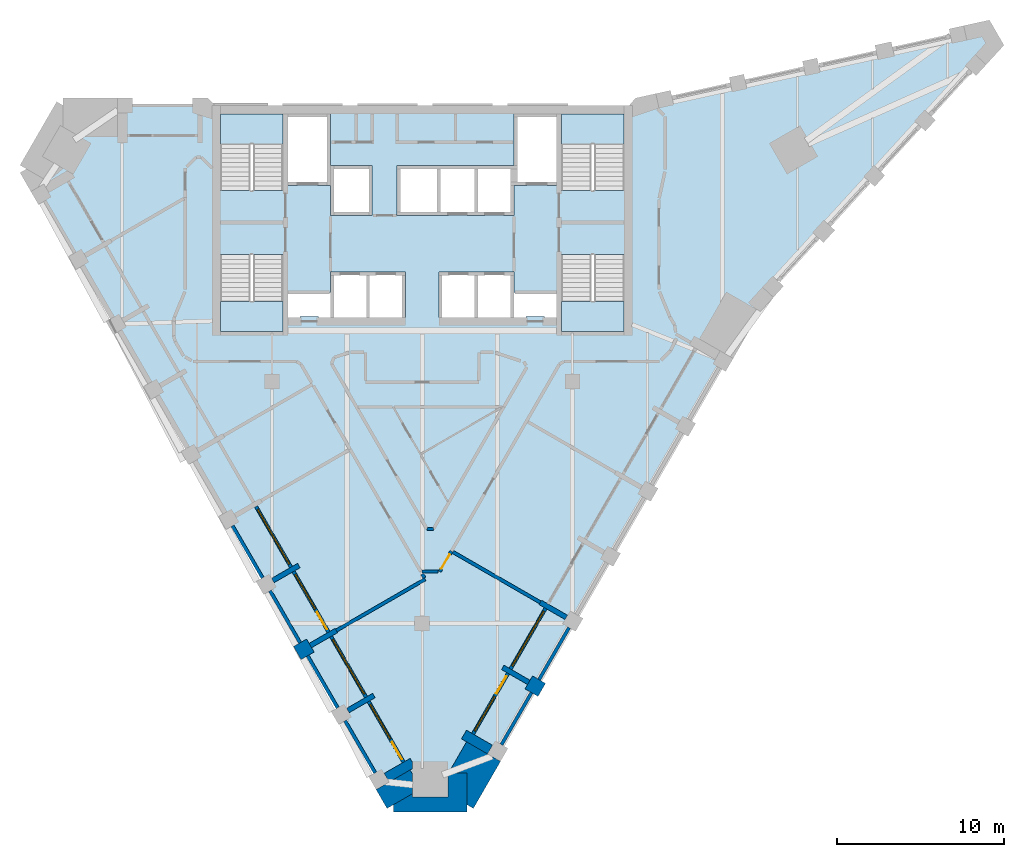
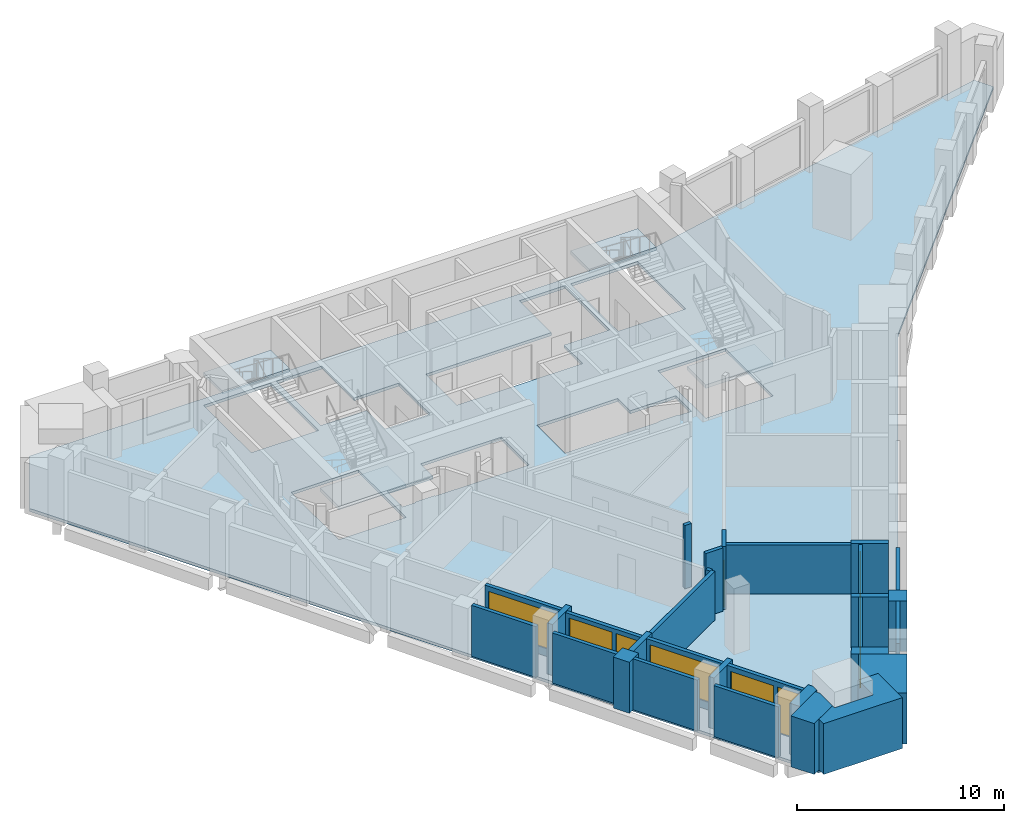
# One storey, part 2 of 8: 30 walls, 6 windows, 5 slabs, 4 doors, 10 openings, 4 elements without a shape of their own.
"""IFC4 building model written with IfcOpenShell, lengths in metres."""

from ifc_helpers import new_model, si_unit, direction, frame, frame_2d, origin, place, context, subcontext, project, spatial, polyline, rectangle, outline, extrude, material, layer, layer_set, type_object, element, fill, aggregate, save


model = new_model("IFC4")

# Units and contexts
model_context = context("Model", 3, precision=1e-05, world=origin(), true_north=direction((0.0, 1.0)))
body_context = subcontext(model_context, "Body", "Model", "MODEL_VIEW")
ifc_project = project(units=[si_unit("LENGTHUNIT", "METRE"), si_unit("AREAUNIT", "SQUARE_METRE"), si_unit("VOLUMEUNIT", "CUBIC_METRE"), si_unit("PLANEANGLEUNIT", "RADIAN"), si_unit("MASSUNIT", "GRAM", prefix="KILO")], contexts=[model_context])

# Site, building, storey
site_placement = place(None, origin())
site = spatial("IfcSite", under=ifc_project, at=site_placement, CompositionType="ELEMENT")
building_placement = place(site_placement, origin())
building = spatial("IfcBuilding", under=site, at=building_placement, Name="Calabash Gate Tower", CompositionType="ELEMENT")
storey_placement = place(building_placement, frame((0.0, 0.0, 271.60009765625)))
storey = spatial("IfcBuildingStorey", under=building, at=storey_placement, Name="L65", CompositionType="ELEMENT", Elevation=271.60009765625)

# Slab
ifc_material_1 = material(Name="Concrete C40/50", Category="concrete")
ifc_layer_1 = layer(ifc_material_1, 0.169921875)
ifc_layer_set_1 = layer_set([ifc_layer_1], Name="Composite floor slab 170 Concrete C40/50")
slab_type_1 = type_object("IfcSlabType", Name="Composite floor slab 170 Concrete C40/50", PredefinedType="FLOOR", material=ifc_layer_set_1)
slab_1_placement = place(storey_placement, frame((0.0, 0.0, -0.170166015625)))
element("IfcSlab", 1, at=slab_1_placement, inside=storey, type_object=slab_type_1, Name="Floor slab L65", PredefinedType="FLOOR", context=body_context, shape_type="SweptSolid", body=[
    extrude(outline(polyline([(-23.723388671875, 15.244140625), (-21.524658203125, 19.052490234375), (12.88134765625, 19.052490234375), (33.783935546875, 23.664794921875), (34.326904296875, 22.724365234375), (19.88134765625, 6.92822265625), (2.678466796875, -22.868408203125), (-1.718994140625, -22.868408203125), (-23.723388671875, 15.244140625)]), holes=[polyline([(-1.0, 9.052490234375), (-3.25, 9.052490234375), (-5.5, 9.052490234375), (-5.5, 7.8525390625), (-8.050048828125, 7.8525390625), (-8.050048828125, 6.3525390625), (-7.324951171875, 6.3525390625), (-7.324951171875, 6.402587890625), (-6.22509765625, 6.402587890625), (-6.22509765625, 6.3525390625), (-5.5, 6.3525390625), (-3.25, 6.3525390625), (-1.0, 6.3525390625), (-1.0, 9.052490234375)]), polyline([(3.25, 6.3525390625), (5.5, 6.3525390625), (6.22509765625, 6.3525390625), (6.22509765625, 6.402587890625), (7.324951171875, 6.402587890625), (7.324951171875, 6.3525390625), (8.050048828125, 6.3525390625), (8.050048828125, 7.8525390625), (5.5, 7.8525390625), (5.5, 9.052490234375), (3.25, 9.052490234375), (1.0, 9.052490234375), (1.0, 6.3525390625), (3.25, 6.3525390625)]), polyline([(-5.5, 14.252685546875), (-5.5, 12.45263671875), (-3.0, 12.45263671875), (-3.0, 15.45263671875), (-5.5, 15.45263671875), (-5.5, 18.552490234375), (-8.050048828125, 18.552490234375), (-8.050048828125, 14.252685546875), (-5.5, 14.252685546875)]), polyline([(1.0, 15.45263671875), (-1.5, 15.45263671875), (-1.5, 12.45263671875), (1.0, 12.45263671875), (3.25, 12.45263671875), (5.5, 12.45263671875), (5.5, 14.252685546875), (8.050048828125, 14.252685546875), (8.050048828125, 18.552490234375), (5.5, 18.552490234375), (5.5, 15.45263671875), (3.25, 15.45263671875), (1.0, 15.45263671875)]), polyline([(-8.35009765625, 18.552490234375), (-12.10009765625, 18.552490234375), (-12.10009765625, 13.95263671875), (-8.35009765625, 13.95263671875), (-8.35009765625, 18.552490234375)]), polyline([(-12.10009765625, 10.1025390625), (-12.10009765625, 5.502685546875), (-8.35009765625, 5.502685546875), (-8.35009765625, 10.1025390625), (-12.10009765625, 10.1025390625)]), polyline([(8.35009765625, 13.95263671875), (12.10009765625, 13.95263671875), (12.10009765625, 18.552490234375), (8.35009765625, 18.552490234375), (8.35009765625, 13.95263671875)]), polyline([(12.10009765625, 5.502685546875), (12.10009765625, 10.1025390625), (8.35009765625, 10.1025390625), (8.35009765625, 5.502685546875), (12.10009765625, 5.502685546875)])]), origin(), (0.0, 0.0, 1.0), 0.170166015625),
])

# Stair, slab
ifc_material_2 = material(Name="Concrete C40/50", Category="concrete")
stair_type = type_object("IfcStairType", Name="Exit stair 22 risers of 177.3 mm", PredefinedType="HALF_TURN_STAIR", material=ifc_material_2)
stair_1_placement = place(storey_placement, origin())
stair_1 = element("IfcStair", 2, at=stair_1_placement, inside=storey, type_object=stair_type, Name="L65 Exit stair ST1", PredefinedType="HALF_TURN_STAIR")
ifc_material_3 = material(Name="Concrete C40/50", Category="concrete")
ifc_layer_2 = layer(ifc_material_3, 0.199951171875)
ifc_layer_set_2 = layer_set([ifc_layer_2], Name="Stair landing SL200")
slab_type_2 = type_object("IfcSlabType", Name="Stair landing SL200", PredefinedType="LANDING", material=ifc_layer_set_2)
slab_2_placement = place(storey_placement, frame((0.0, 0.0, 1.75)))
slab_2 = element("IfcSlab", 3, at=slab_2_placement, type_object=slab_type_2, Name="ST1 landing 1", PredefinedType="LANDING", context=body_context, shape_type="SweptSolid", body=[
    extrude(outline(polyline([(-8.35009765625, 16.74267578125), (-8.35009765625, 18.552490234375), (-12.10009765625, 18.552490234375), (-12.10009765625, 16.74267578125), (-8.35009765625, 16.74267578125)])), origin(), (0.0, 0.0, 1.0), 0.199951171875),
])
aggregate(stair_1, [slab_2])

stair_2_placement = place(storey_placement, origin())
stair_2 = element("IfcStair", 4, at=stair_2_placement, inside=storey, type_object=stair_type, Name="L65 Exit stair ST2", PredefinedType="HALF_TURN_STAIR")
slab_3_placement = place(storey_placement, frame((0.0, 0.0, 1.75)))
slab_3 = element("IfcSlab", 5, at=slab_3_placement, type_object=slab_type_2, Name="ST2 landing 1", PredefinedType="LANDING", context=body_context, shape_type="SweptSolid", body=[
    extrude(outline(polyline([(-12.10009765625, 7.3125), (-12.10009765625, 5.502685546875), (-8.35009765625, 5.502685546875), (-8.35009765625, 7.3125), (-12.10009765625, 7.3125)])), origin(), (0.0, 0.0, 1.0), 0.199951171875),
])
aggregate(stair_2, [slab_3])

stair_3_placement = place(storey_placement, origin())
stair_3 = element("IfcStair", 6, at=stair_3_placement, inside=storey, type_object=stair_type, Name="L65 Exit stair ST3", PredefinedType="HALF_TURN_STAIR")
slab_4_placement = place(storey_placement, frame((0.0, 0.0, 1.75)))
slab_4 = element("IfcSlab", 7, at=slab_4_placement, type_object=slab_type_2, Name="ST3 landing 1", PredefinedType="LANDING", context=body_context, shape_type="SweptSolid", body=[
    extrude(outline(polyline([(12.10009765625, 16.74267578125), (12.10009765625, 18.552490234375), (8.35009765625, 18.552490234375), (8.35009765625, 16.74267578125), (12.10009765625, 16.74267578125)])), origin(), (0.0, 0.0, 1.0), 0.199951171875),
])
aggregate(stair_3, [slab_4])

stair_4_placement = place(storey_placement, origin())
stair_4 = element("IfcStair", 8, at=stair_4_placement, inside=storey, type_object=stair_type, Name="L65 Exit stair ST4", PredefinedType="HALF_TURN_STAIR")
slab_5_placement = place(storey_placement, frame((0.0, 0.0, 1.75)))
slab_5 = element("IfcSlab", 9, at=slab_5_placement, type_object=slab_type_2, Name="ST4 landing 1", PredefinedType="LANDING", context=body_context, shape_type="SweptSolid", body=[
    extrude(outline(polyline([(8.35009765625, 7.3125), (8.35009765625, 5.502685546875), (12.10009765625, 5.502685546875), (12.10009765625, 7.3125), (8.35009765625, 7.3125)])), origin(), (0.0, 0.0, 1.0), 0.199951171875),
])
aggregate(stair_4, [slab_5])

# Walls
ifc_material_4 = material(Name="Terracotta brick masonry, exposed face", Category="masonry")
ifc_layer_3 = layer(ifc_material_4, 2.35009765625)
ifc_layer_set_3 = layer_set([ifc_layer_3], Name="Brick corner mass wall 2350")
wall_type_1 = type_object("IfcWallType", Name="Brick corner mass wall 2350", PredefinedType="SOLIDWALL", material=ifc_layer_set_3)
wall_1_placement = place(storey_placement, origin())
element("IfcWall", 10, at=wall_1_placement, inside=storey, type_object=wall_type_1, Name="Brick corner pier S19 1a", PredefinedType="SOLIDWALL", context=body_context, shape_type="SweptSolid", body=[
    extrude(outline(polyline([(-0.594970703125, -21.015380859375), (-0.725830078125, -20.788818359375), (-2.760986328125, -21.9638671875), (-2.10888671875, -23.09326171875), (-0.594970703125, -22.21923828125), (-0.594970703125, -21.015380859375)])), origin(), (0.0, 0.0, 1.0), 3.0),
])
wall_2_placement = place(storey_placement, origin())
element("IfcWall", 11, at=wall_2_placement, inside=storey, type_object=wall_type_1, Name="Brick corner pier S19 1b", PredefinedType="SOLIDWALL", context=body_context, shape_type="SweptSolid", body=[
    extrude(outline(polyline([(-0.594970703125, -22.4208984375), (-0.594970703125, -22.21923828125), (-1.718994140625, -22.868408203125), (-1.718994140625, -23.318359375), (2.678466796875, -23.318359375), (2.678466796875, -20.96826171875), (1.554931640625, -20.96826171875), (1.554931640625, -22.4208984375), (-0.594970703125, -22.4208984375)])), origin(), (0.0, 0.0, 1.0), 3.0),
])
wall_3_placement = place(storey_placement, origin())
element("IfcWall", 12, at=wall_3_placement, inside=storey, type_object=wall_type_1, Name="Brick corner pier S19 1c", PredefinedType="SOLIDWALL", context=body_context, shape_type="SweptSolid", body=[
    extrude(outline(polyline([(2.678466796875, -20.96826171875), (2.678466796875, -22.868408203125), (3.068115234375, -23.09326171875), (4.694580078125, -20.276123046875), (2.659423828125, -19.10107421875), (1.58154296875, -20.96826171875), (2.678466796875, -20.96826171875)])), origin(), (0.0, 0.0, 1.0), 3.0),
])
ifc_material_5 = material(Name="Terracotta brick masonry, exposed face", Category="masonry")
ifc_layer_4 = layer(ifc_material_5, 0.89990234375)
ifc_layer_set_4 = layer_set([ifc_layer_4], Name="Brick end wall 900")
wall_type_2 = type_object("IfcWallType", Name="Brick end wall 900", PredefinedType="SOLIDWALL", material=ifc_layer_set_4)
wall_4_placement = place(storey_placement, frame((-7.48583984375, -13.77978515625, 0.0), z_axis=(0.0, 0.0, 1.0), x_axis=(0.866013897511, 0.50001992892, 0.0)))
element("IfcWall", 13, at=wall_4_placement, inside=storey, type_object=wall_type_2, Name="Brick pier S19 SW0.7", PredefinedType="SOLIDWALL", context=body_context, shape_type="SweptSolid", body=[
    extrude(rectangle(XDim=0.89990234375, YDim=0.89990234375, at=frame_2d((0.449951171875, 0.0))), origin(), (0.0, 0.0, 1.0), 3.0),
])
wall_5_placement = place(storey_placement, frame((7.0048828125, -15.37451171875, 0.0), z_axis=(0.0, 0.0, 1.0), x_axis=(-0.499902469156, -0.866081705922, 0.0)))
element("IfcWall", 14, at=wall_5_placement, inside=storey, type_object=wall_type_2, Name="Brick pier S19 SE2.1", PredefinedType="SOLIDWALL", context=body_context, shape_type="SweptSolid", body=[
    extrude(rectangle(XDim=0.900146484375, YDim=0.89990234375, at=frame_2d((0.4501953125, 0.0))), origin(), (0.0, 0.0, 1.0), 3.0),
])
ifc_material_6 = material(Name="Terracotta brick masonry, exposed face", Category="masonry")
ifc_layer_5 = layer(ifc_material_6, 0.300048828125)
ifc_layer_set_5 = layer_set([ifc_layer_5], Name="Brick loggia cheek wall 300")
wall_type_3 = type_object("IfcWallType", Name="Brick loggia cheek wall 300", PredefinedType="SOLIDWALL", material=ifc_layer_set_5)
for number, where, z_axis, x_axis, name in (
    (15, (-8.95654296875, -9.4326171875, 0.0), (0.0, 0.0, 1.0), (0.866047807691, 0.499961193289, 0.0), "Loggia cheek S19 SW0.6"),
    (16, (-6.70654296875, -13.329833984375, 0.0), (0.0, 0.0, 1.0), (0.866047807691, 0.499961193289, 0.0), "Loggia cheek S19 SW0.7"),
):
    element("IfcWall", number, at=place(storey_placement, frame(where, z_axis=z_axis, x_axis=x_axis)), inside=storey, type_object=wall_type_3, Name=name, PredefinedType="SOLIDWALL", context=body_context, shape_type="SweptSolid", body=[
        extrude(rectangle(XDim=1.800048828125, YDim=0.300048828125, at=frame_2d((0.89990234375, 0.0))), origin(), (0.0, 0.0, 1.0), 3.0),
    ])
wall_6_placement = place(storey_placement, frame((-4.456298828125, -17.226806640625, 0.0), z_axis=(0.0, 0.0, 1.0), x_axis=(0.866013897511, 0.50001992892, 0.0)))
element("IfcWall", 17, at=wall_6_placement, inside=storey, type_object=wall_type_3, Name="Loggia cheek S19 SW0.8", PredefinedType="SOLIDWALL", context=body_context, shape_type="SweptSolid", body=[
    extrude(rectangle(XDim=1.7998046875, YDim=0.300048828125, at=frame_2d((0.89990234375, 0.0))), origin(), (0.0, 0.0, 1.0), 3.0),
])
wall_7_placement = place(storey_placement, origin())
element("IfcWall", 18, at=wall_7_placement, inside=storey, type_object=wall_type_3, Name="Loggia cheek S19 SW0.9", PredefinedType="SOLIDWALL", context=body_context, shape_type="SweptSolid", body=[
    extrude(outline(polyline([(-1.981201171875, -21.513671875), (-0.594970703125, -20.71337890625), (-0.594970703125, -20.3154296875), (-0.72265625, -20.09423828125), (-2.28125, -20.994140625), (-1.981201171875, -21.513671875)])), origin(), (0.0, 0.0, 1.0), 3.0),
])
wall_8_placement = place(storey_placement, frame((4.065185546875, -19.56640625, 0.0), z_axis=(0.0, 0.0, 1.0), x_axis=(-0.865989075817, 0.500062916607, 0.0)))
element("IfcWall", 19, at=wall_8_placement, inside=storey, type_object=wall_type_3, Name="Loggia cheek S19 SE2.0", PredefinedType="SOLIDWALL", context=body_context, shape_type="SweptSolid", body=[
    extrude(rectangle(XDim=1.800048828125, YDim=0.60009765625, at=frame_2d((0.89990234375, 0.0))), origin(), (0.0, 0.0, 1.0), 3.0),
])
for number, where, z_axis, x_axis, name in (
    (20, (6.39013671875, -15.539306640625, 0.0), (0.0, 0.0, 1.0), (-0.866047807691, 0.499961193289, 0.0), "Loggia cheek S19 SE2.1"),
    (21, (8.64013671875, -11.64208984375, 0.0), (0.0, 0.0, 1.0), (-0.866047807691, 0.499961193289, 0.0), "Loggia cheek S19 SE2.2"),
):
    element("IfcWall", number, at=place(storey_placement, frame(where, z_axis=z_axis, x_axis=x_axis)), inside=storey, type_object=wall_type_3, Name=name, PredefinedType="SOLIDWALL", context=body_context, shape_type="SweptSolid", body=[
        extrude(rectangle(XDim=1.800048828125, YDim=0.300048828125, at=frame_2d((0.89990234375, 0.0))), origin(), (0.0, 0.0, 1.0), 3.0),
    ])
ifc_material_7 = material(Name="Gypsum board on steel studs, mineral wool", Category="steel")
ifc_layer_6 = layer(ifc_material_7, 0.199951171875)
ifc_layer_set_6 = layer_set([ifc_layer_6], Name="Partition 200 gypsum board EI 60")
wall_type_4 = type_object("IfcWallType", Name="Partition 200 gypsum board EI 60", PredefinedType="PARTITIONING", material=ifc_layer_set_6)
wall_9_placement = place(storey_placement, frame((-5.1474609375, -12.430419921875, 0.0), z_axis=(0.0, 0.0, 1.0), x_axis=(0.866013692856, 0.500020283374, 0.0)))
element("IfcWall", 22, at=wall_9_placement, inside=storey, type_object=wall_type_4, Name="Partition", PredefinedType="PARTITIONING", context=body_context, shape_type="SweptSolid", body=[
    extrude(rectangle(XDim=6.149658203125, YDim=0.199951171875, at=frame_2d((3.07470703125, 0.0))), origin(), (0.0, 0.0, 1.0), 2.884033203125),
])
wall_10_placement = place(storey_placement, frame((0.0, -9.0419921875, 0.0), z_axis=(0.0, 0.0, 1.0), x_axis=(0.494524249255, -0.869163832024, 0.0)))
element("IfcWall", 23, at=wall_10_placement, inside=storey, type_object=wall_type_4, Name="Partition", PredefinedType="PARTITIONING", context=body_context, shape_type="SweptSolid", body=[
    extrude(rectangle(XDim=0.2607421875, YDim=0.199951171875, at=frame_2d((0.13037109375, 0.0))), origin(), (0.0, 0.0, 1.0), 2.884033203125),
])
wall_11_placement = place(storey_placement, frame((0.0, -8.888671875, 0.0), z_axis=(0.0, 0.0, 1.0), x_axis=(0.999998814747, 0.001539644057, 0.0)))
element("IfcWall", 24, at=wall_11_placement, inside=storey, type_object=wall_type_4, Name="Partition", PredefinedType="PARTITIONING", context=body_context, shape_type="SweptSolid", body=[
    extrude(rectangle(XDim=0.951416015625, YDim=0.199951171875, at=frame_2d((0.4755859375, 0.0))), origin(), (0.0, 0.0, 1.0), 3.72998046875),
])

# Wall, opening, door
wall_12_placement = place(storey_placement, frame((1.051513671875, -8.88720703125, 0.0), z_axis=(0.0, 0.0, 1.0), x_axis=(0.500967914192, 0.865465856606, 0.0)))
wall_12 = element("IfcWall", 25, at=wall_12_placement, inside=storey, type_object=wall_type_4, Name="Partition", PredefinedType="PARTITIONING", context=body_context, shape_type="SweptSolid", body=[
    extrude(rectangle(XDim=1.407958984375, YDim=0.199951171875, at=frame_2d((0.7041015625, 0.0))), origin(), (0.0, 0.0, 1.0), 3.72998046875),
])
opening_1_placement = place(wall_12_placement, frame((0.18798828125, 0.0, 0.0)))
opening_1 = element("IfcOpeningElement", 26, at=opening_1_placement, cuts=wall_12, Name="Opening 65-66-010", PredefinedType="OPENING", context=body_context, shape_type="SweptSolid", body=[
    extrude(rectangle(XDim=1.0, YDim=2.10009765625, at=frame_2d((0.5, 1.050048828125))), frame((0.0, 0.10986328125, 0.0), z_axis=(0.0, -1.0, 0.0), x_axis=(1.0, 0.0, 0.0)), (0.0, 0.0, 1.0), 0.219970703125),
])
ifc_material_8 = material(Name="Steel fire door set with fire-resisting glazing", Category="steel")
door_type_1 = type_object("IfcDoorType", Name="LD2 Meeting room door 1000x2100", OperationType="NOTDEFINED", PredefinedType="DOOR", material=ifc_material_8)
door_1_placement = place(opening_1_placement, origin())
door_1 = element("IfcDoor", 27, at=door_1_placement, inside=storey, type_object=door_type_1, Name="Meeting room door", OperationType="SINGLE_SWING_LEFT", OverallHeight=2.10009765625, OverallWidth=1.0, PredefinedType="DOOR", context=body_context, shape_type="SweptSolid", body=[
    extrude(rectangle(XDim=1.0, YDim=2.10009765625, at=frame_2d((0.5, 1.050048828125))), frame((0.0, 0.02490234375, 0.0), z_axis=(0.0, -1.0, 0.0), x_axis=(1.0, 0.0, 0.0)), (0.0, 0.0, 1.0), 0.050048828125),
])
fill(opening_1, door_1)

# Walls
wall_13_placement = place(storey_placement, frame((1.84130859375, -7.718994140625, 0.0), z_axis=(0.0, 0.0, 1.0), x_axis=(0.866131832054, -0.499815615506, 0.0)))
element("IfcWall", 28, at=wall_13_placement, inside=storey, type_object=wall_type_4, Name="Partition", PredefinedType="PARTITIONING", context=body_context, shape_type="SweptSolid", body=[
    extrude(rectangle(XDim=6.049560546875, YDim=0.199951171875, at=frame_2d((3.02490234375, 0.0))), origin(), (0.0, 0.0, 1.0), 2.884033203125),
])
wall_14_placement = place(storey_placement, frame((0.295166015625, -6.343017578125, 0.0), z_axis=(0.0, 0.0, 1.0), x_axis=(0.999958464773, -0.009114204757, 0.0)))
element("IfcWall", 29, at=wall_14_placement, inside=storey, type_object=wall_type_4, Name="Partition", PredefinedType="PARTITIONING", context=body_context, shape_type="SweptSolid", body=[
    extrude(rectangle(XDim=0.375, YDim=0.199951171875, at=frame_2d((0.1875, 0.0))), origin(), (0.0, 0.0, 1.0), 3.72998046875),
])
ifc_material_9 = material(Name="Terracotta brick masonry, perforated", Category="masonry")
ifc_layer_7 = layer(ifc_material_9, 0.199951171875)
ifc_layer_set_7 = layer_set([ifc_layer_7], Name="Terracotta jaali screen A")
wall_type_5 = type_object("IfcWallType", Name="Terracotta jaali screen A", PredefinedType="SOLIDWALL", material=ifc_layer_set_7)
wall_15_placement = place(storey_placement, frame((-11.371337890625, -6.150390625, 0.0), z_axis=(0.0, 0.0, 1.0), x_axis=(0.500012057535, -0.866018442252, 0.0)))
element("IfcWall", 30, at=wall_15_placement, inside=storey, type_object=wall_type_5, Name="SCREEN A S19 SW0.6", PredefinedType="SOLIDWALL", context=body_context, shape_type="SweptSolid", body=[
    extrude(rectangle(XDim=3.60009765625, YDim=0.199951171875, at=frame_2d((1.800048828125, 0.0))), origin(), (0.0, 0.0, 1.0), 3.0),
])
wall_16_placement = place(storey_placement, frame((-9.121337890625, -10.04736328125, 0.0), z_axis=(0.0, 0.0, 1.0), x_axis=(0.500012057535, -0.866018442252, 0.0)))
element("IfcWall", 31, at=wall_16_placement, inside=storey, type_object=wall_type_5, Name="SCREEN A S19 SW0.7", PredefinedType="SOLIDWALL", context=body_context, shape_type="SweptSolid", body=[
    extrude(rectangle(XDim=3.60009765625, YDim=0.199951171875, at=frame_2d((1.800048828125, 0.0))), origin(), (0.0, 0.0, 1.0), 2.949951171875),
])
for number, where, z_axis, x_axis, name in (
    (32, (-6.871337890625, -13.944580078125, 0.0), (0.0, 0.0, 1.0), (0.500012057535, -0.866018442252, 0.0), "SCREEN A S19 SW0.8"),
    (33, (-4.621337890625, -17.841796875, 0.0), (0.0, 0.0, 1.0), (0.500012057535, -0.866018442252, 0.0), "SCREEN A S19 SW0.9"),
    (34, (4.7548828125, -19.271728515625, 0.0), (0.0, 0.0, 1.0), (0.500012057535, 0.866018442252, 0.0), "SCREEN A S19 SE2.1"),
    (35, (7.0048828125, -15.37451171875, 0.0), (0.0, 0.0, 1.0), (0.500012057535, 0.866018442252, 0.0), "SCREEN A S19 SE2.2"),
):
    element("IfcWall", number, at=place(storey_placement, frame(where, z_axis=z_axis, x_axis=x_axis)), inside=storey, type_object=wall_type_5, Name=name, PredefinedType="SOLIDWALL", context=body_context, shape_type="SweptSolid", body=[
        extrude(rectangle(XDim=3.60009765625, YDim=0.199951171875, at=frame_2d((1.800048828125, 0.0))), origin(), (0.0, 0.0, 1.0), 3.0),
    ])

# Wall, opening, window
ifc_material_10 = material(Name="Aluminium framed window wall with insulated spandrel", Category="aluminium")
ifc_layer_8 = layer(ifc_material_10, 0.199951171875)
ifc_layer_set_8 = layer_set([ifc_layer_8], Name="Window wall 200")
wall_type_6 = type_object("IfcWallType", Name="Window wall 200", PredefinedType="ELEMENTEDWALL", material=ifc_layer_set_8)
wall_17_placement = place(storey_placement, frame((-9.96240234375, -4.990478515625, 0.0), z_axis=(0.0, 0.0, 1.0), x_axis=(0.500002543286, -0.866023935413, 0.0)))
wall_17 = element("IfcWall", 36, at=wall_17_placement, inside=storey, type_object=wall_type_6, Name="Window wall S19 SW0.6", PredefinedType="ELEMENTEDWALL", context=body_context, shape_type="SweptSolid", body=[
    extrude(rectangle(XDim=4.2001953125, YDim=0.199951171875, at=frame_2d((2.10009765625, 0.0))), origin(), (0.0, 0.0, 1.0), 3.0),
])
opening_2_placement = place(wall_17_placement, frame((0.199951171875, 0.0, 0.449951171875)))
opening_2 = element("IfcOpeningElement", 37, at=opening_2_placement, cuts=wall_17, Name="Opening OW2", PredefinedType="OPENING", context=body_context, shape_type="SweptSolid", body=[
    extrude(rectangle(XDim=3.800048828125, YDim=2.25, at=frame_2d((1.89990234375, 1.125))), frame((0.0, 0.10986328125, 0.0), z_axis=(0.0, -1.0, 0.0), x_axis=(1.0, 0.0, 0.0)), (0.0, 0.0, 1.0), 0.219970703125),
])
ifc_material_11 = material(Name="Anodised aluminium frame, bronze finish, impact-rated laminated clear glazing", Category="aluminium")
window_type_1 = type_object("IfcWindowType", Name="Window OW2 3800x2250", PartitioningType="TRIPLE_PANEL_VERTICAL", PredefinedType="WINDOW", material=ifc_material_11)
window_1_placement = place(opening_2_placement, origin())
window_1 = element("IfcWindow", 38, at=window_1_placement, inside=storey, type_object=window_type_1, Name="Window OW2 S19 SW0.6", OverallHeight=2.25, OverallWidth=3.800048828125, PartitioningType="SINGLE_PANEL", PredefinedType="WINDOW", context=body_context, shape_type="SweptSolid", body=[
    extrude(rectangle(XDim=3.800048828125, YDim=2.25, at=frame_2d((1.89990234375, 1.125))), frame((0.0, 0.030029296875, 0.0), z_axis=(0.0, -1.0, 0.0), x_axis=(1.0, 0.0, 0.0)), (0.0, 0.0, 1.0), 0.06005859375),
])
fill(opening_2, window_1)

# Wall, openings, door, window
wall_18_placement = place(storey_placement, frame((-7.71240234375, -8.8876953125, 0.0), z_axis=(0.0, 0.0, 1.0), x_axis=(0.500027713859, -0.866009402589, 0.0)))
wall_18 = element("IfcWall", 39, at=wall_18_placement, inside=storey, type_object=wall_type_6, Name="Window wall S19 SW0.7", PredefinedType="ELEMENTEDWALL", context=body_context, shape_type="SweptSolid", body=[
    extrude(rectangle(XDim=4.199951171875, YDim=0.199951171875, at=frame_2d((2.10009765625, 0.0))), origin(), (0.0, 0.0, 1.0), 2.949951171875),
])
opening_3_placement = place(wall_18_placement, frame((0.199951171875, 0.0, 0.449951171875)))
opening_3 = element("IfcOpeningElement", 40, at=opening_3_placement, cuts=wall_18, Name="Opening OW1", PredefinedType="OPENING", context=body_context, shape_type="SweptSolid", body=[
    extrude(rectangle(XDim=2.39990234375, YDim=2.25, at=frame_2d((1.199951171875, 1.125))), frame((0.0, 0.10986328125, 0.0), z_axis=(0.0, -1.0, 0.0), x_axis=(1.0, 0.0, 0.0)), (0.0, 0.0, 1.0), 0.219970703125),
])
opening_4_placement = place(wall_18_placement, frame((2.800048828125, 0.0, 0.0)))
opening_4 = element("IfcOpeningElement", 41, at=opening_4_placement, cuts=wall_18, Name="Opening O11-019", PredefinedType="OPENING", context=body_context, shape_type="SweptSolid", body=[
    extrude(rectangle(XDim=1.199951171875, YDim=2.699951171875, at=frame_2d((0.60009765625, 1.35009765625))), frame((0.0, 0.10986328125, 0.0), z_axis=(0.0, -1.0, 0.0), x_axis=(1.0, 0.0, 0.0)), (0.0, 0.0, 1.0), 0.219970703125),
])
ifc_material_12 = material(Name="Anodised aluminium frame, bronze finish, impact-rated laminated clear glazing", Category="aluminium")
door_type_2 = type_object("IfcDoorType", Name="Loggia door DO1 1200x2700", OperationType="SLIDING_TO_LEFT", PredefinedType="DOOR", material=ifc_material_12)
door_2_placement = place(opening_4_placement, origin())
door_2 = element("IfcDoor", 42, at=door_2_placement, inside=storey, type_object=door_type_2, Name="Loggia door S19 SW0.7", OperationType="SINGLE_SWING_LEFT", OverallHeight=2.699951171875, OverallWidth=1.199951171875, PredefinedType="DOOR", context=body_context, shape_type="SweptSolid", body=[
    extrude(rectangle(XDim=1.199951171875, YDim=2.699951171875, at=frame_2d((0.60009765625, 1.35009765625))), frame((0.0, 0.02490234375, 0.0), z_axis=(0.0, -1.0, 0.0), x_axis=(1.0, 0.0, 0.0)), (0.0, 0.0, 1.0), 0.050048828125),
])
fill(opening_4, door_2)
ifc_material_13 = material(Name="Anodised aluminium frame, bronze finish, impact-rated laminated clear glazing", Category="aluminium")
window_type_2 = type_object("IfcWindowType", Name="Window OW1 2400x2250", PartitioningType="DOUBLE_PANEL_VERTICAL", PredefinedType="WINDOW", material=ifc_material_13)
window_2_placement = place(opening_3_placement, origin())
window_2 = element("IfcWindow", 43, at=window_2_placement, inside=storey, type_object=window_type_2, Name="Window OW1 S19 SW0.7", OverallHeight=2.25, OverallWidth=2.39990234375, PartitioningType="SINGLE_PANEL", PredefinedType="WINDOW", context=body_context, shape_type="SweptSolid", body=[
    extrude(rectangle(XDim=2.39990234375, YDim=2.25, at=frame_2d((1.199951171875, 1.125))), frame((0.0, 0.030029296875, 0.0), z_axis=(0.0, -1.0, 0.0), x_axis=(1.0, 0.0, 0.0)), (0.0, 0.0, 1.0), 0.06005859375),
])
fill(opening_3, window_2)

# Wall, opening, window
wall_19_placement = place(storey_placement, frame((-5.46240234375, -12.78466796875, 0.0), z_axis=(0.0, 0.0, 1.0), x_axis=(0.500002543286, -0.866023935413, 0.0)))
wall_19 = element("IfcWall", 44, at=wall_19_placement, inside=storey, type_object=wall_type_6, Name="Window wall S19 SW0.8", PredefinedType="ELEMENTEDWALL", context=body_context, shape_type="SweptSolid", body=[
    extrude(rectangle(XDim=4.2001953125, YDim=0.199951171875, at=frame_2d((2.10009765625, 0.0))), origin(), (0.0, 0.0, 1.0), 3.0),
])
opening_5_placement = place(wall_19_placement, frame((0.199951171875, 0.0, 0.449951171875)))
opening_5 = element("IfcOpeningElement", 45, at=opening_5_placement, cuts=wall_19, Name="Opening OW2", PredefinedType="OPENING", context=body_context, shape_type="SweptSolid", body=[
    extrude(rectangle(XDim=3.800048828125, YDim=2.25, at=frame_2d((1.89990234375, 1.125))), frame((0.0, 0.10986328125, 0.0), z_axis=(0.0, -1.0, 0.0), x_axis=(1.0, 0.0, 0.0)), (0.0, 0.0, 1.0), 0.219970703125),
])
window_3_placement = place(opening_5_placement, origin())
window_3 = element("IfcWindow", 46, at=window_3_placement, inside=storey, type_object=window_type_1, Name="Window OW2 S19 SW0.8", OverallHeight=2.25, OverallWidth=3.800048828125, PartitioningType="SINGLE_PANEL", PredefinedType="WINDOW", context=body_context, shape_type="SweptSolid", body=[
    extrude(rectangle(XDim=3.800048828125, YDim=2.25, at=frame_2d((1.89990234375, 1.125))), frame((0.0, 0.030029296875, 0.0), z_axis=(0.0, -1.0, 0.0), x_axis=(1.0, 0.0, 0.0)), (0.0, 0.0, 1.0), 0.06005859375),
])
fill(opening_5, window_3)

# Wall, openings, door, window
wall_20_placement = place(storey_placement, frame((-3.21240234375, -16.681884765625, 0.0), z_axis=(0.0, 0.0, 1.0), x_axis=(0.500027713859, -0.866009402589, 0.0)))
wall_20 = element("IfcWall", 47, at=wall_20_placement, inside=storey, type_object=wall_type_6, Name="Window wall S19 SW0.9", PredefinedType="ELEMENTEDWALL", context=body_context, shape_type="SweptSolid", body=[
    extrude(rectangle(XDim=4.199951171875, YDim=0.199951171875, at=frame_2d((2.10009765625, 0.0))), origin(), (0.0, 0.0, 1.0), 3.0),
])
opening_6_placement = place(wall_20_placement, frame((0.199951171875, 0.0, 0.449951171875)))
opening_6 = element("IfcOpeningElement", 48, at=opening_6_placement, cuts=wall_20, Name="Opening OW1", PredefinedType="OPENING", context=body_context, shape_type="SweptSolid", body=[
    extrude(rectangle(XDim=2.39990234375, YDim=2.25, at=frame_2d((1.199951171875, 1.125))), frame((0.0, 0.10986328125, 0.0), z_axis=(0.0, -1.0, 0.0), x_axis=(1.0, 0.0, 0.0)), (0.0, 0.0, 1.0), 0.219970703125),
])
opening_7_placement = place(wall_20_placement, frame((2.800048828125, 0.0, 0.0)))
opening_7 = element("IfcOpeningElement", 49, at=opening_7_placement, cuts=wall_20, Name="Opening O11-020", PredefinedType="OPENING", context=body_context, shape_type="SweptSolid", body=[
    extrude(rectangle(XDim=1.199951171875, YDim=2.699951171875, at=frame_2d((0.60009765625, 1.35009765625))), frame((0.0, 0.10986328125, 0.0), z_axis=(0.0, -1.0, 0.0), x_axis=(1.0, 0.0, 0.0)), (0.0, 0.0, 1.0), 0.219970703125),
])
door_3_placement = place(opening_7_placement, origin())
door_3 = element("IfcDoor", 50, at=door_3_placement, inside=storey, type_object=door_type_2, Name="Loggia door S19 SW0.9", OperationType="SINGLE_SWING_LEFT", OverallHeight=2.699951171875, OverallWidth=1.199951171875, PredefinedType="DOOR", context=body_context, shape_type="SweptSolid", body=[
    extrude(rectangle(XDim=1.199951171875, YDim=2.699951171875, at=frame_2d((0.60009765625, 1.35009765625))), frame((0.0, 0.02490234375, 0.0), z_axis=(0.0, -1.0, 0.0), x_axis=(1.0, 0.0, 0.0)), (0.0, 0.0, 1.0), 0.050048828125),
])
fill(opening_7, door_3)
window_4_placement = place(opening_6_placement, origin())
window_4 = element("IfcWindow", 51, at=window_4_placement, inside=storey, type_object=window_type_2, Name="Window OW1 S19 SW0.9", OverallHeight=2.25, OverallWidth=2.39990234375, PartitioningType="SINGLE_PANEL", PredefinedType="WINDOW", context=body_context, shape_type="SweptSolid", body=[
    extrude(rectangle(XDim=2.39990234375, YDim=2.25, at=frame_2d((1.199951171875, 1.125))), frame((0.0, 0.030029296875, 0.0), z_axis=(0.0, -1.0, 0.0), x_axis=(1.0, 0.0, 0.0)), (0.0, 0.0, 1.0), 0.06005859375),
])
fill(opening_6, window_4)

wall_21_placement = place(storey_placement, frame((3.046142578125, -18.631591796875, 0.0), z_axis=(0.0, 0.0, 1.0), x_axis=(0.499958946799, 0.866049104564, 0.0)))
wall_21 = element("IfcWall", 52, at=wall_21_placement, inside=storey, type_object=wall_type_6, Name="Window wall S19 SE2.1", PredefinedType="ELEMENTEDWALL", context=body_context, shape_type="SweptSolid", body=[
    extrude(rectangle(XDim=4.199951171875, YDim=0.199951171875, at=frame_2d((2.10009765625, 0.0))), origin(), (0.0, 0.0, 1.0), 3.0),
])
opening_8_placement = place(wall_21_placement, frame((0.199951171875, 0.0, 0.449951171875)))
opening_8 = element("IfcOpeningElement", 53, at=opening_8_placement, cuts=wall_21, Name="Opening OW1", PredefinedType="OPENING", context=body_context, shape_type="SweptSolid", body=[
    extrude(rectangle(XDim=2.39990234375, YDim=2.25, at=frame_2d((1.199951171875, 1.125))), frame((0.0, 0.10986328125, 0.0), z_axis=(0.0, -1.0, 0.0), x_axis=(1.0, 0.0, 0.0)), (0.0, 0.0, 1.0), 0.219970703125),
])
opening_9_placement = place(wall_21_placement, frame((2.800048828125, 0.0, 0.0)))
opening_9 = element("IfcOpeningElement", 54, at=opening_9_placement, cuts=wall_21, Name="Opening O11-015", PredefinedType="OPENING", context=body_context, shape_type="SweptSolid", body=[
    extrude(rectangle(XDim=1.199951171875, YDim=2.699951171875, at=frame_2d((0.60009765625, 1.35009765625))), frame((0.0, 0.10986328125, 0.0), z_axis=(0.0, -1.0, 0.0), x_axis=(1.0, 0.0, 0.0)), (0.0, 0.0, 1.0), 0.219970703125),
])
door_4_placement = place(opening_9_placement, origin())
door_4 = element("IfcDoor", 55, at=door_4_placement, inside=storey, type_object=door_type_2, Name="Loggia door S19 SE2.1", OperationType="SINGLE_SWING_LEFT", OverallHeight=2.699951171875, OverallWidth=1.199951171875, PredefinedType="DOOR", context=body_context, shape_type="SweptSolid", body=[
    extrude(rectangle(XDim=1.199951171875, YDim=2.699951171875, at=frame_2d((0.60009765625, 1.35009765625))), frame((0.0, 0.02490234375, 0.0), z_axis=(0.0, -1.0, 0.0), x_axis=(1.0, 0.0, 0.0)), (0.0, 0.0, 1.0), 0.050048828125),
])
fill(opening_9, door_4)
window_5_placement = place(opening_8_placement, origin())
window_5 = element("IfcWindow", 56, at=window_5_placement, inside=storey, type_object=window_type_2, Name="Window OW1 S19 SE2.1", OverallHeight=2.25, OverallWidth=2.39990234375, PartitioningType="SINGLE_PANEL", PredefinedType="WINDOW", context=body_context, shape_type="SweptSolid", body=[
    extrude(rectangle(XDim=2.39990234375, YDim=2.25, at=frame_2d((1.199951171875, 1.125))), frame((0.0, 0.030029296875, 0.0), z_axis=(0.0, -1.0, 0.0), x_axis=(1.0, 0.0, 0.0)), (0.0, 0.0, 1.0), 0.06005859375),
])
fill(opening_8, window_5)

# Wall, opening, window
wall_22_placement = place(storey_placement, frame((5.296142578125, -14.734375, 0.0), z_axis=(0.0, 0.0, 1.0), x_axis=(0.49998411664, 0.866034573852, 0.0)))
wall_22 = element("IfcWall", 57, at=wall_22_placement, inside=storey, type_object=wall_type_6, Name="Window wall S19 SE2.2", PredefinedType="ELEMENTEDWALL", context=body_context, shape_type="SweptSolid", body=[
    extrude(rectangle(XDim=4.199951171875, YDim=0.199951171875, at=frame_2d((2.10009765625, 0.0))), origin(), (0.0, 0.0, 1.0), 2.949951171875),
])
opening_10_placement = place(wall_22_placement, frame((0.199951171875, 0.0, 0.449951171875)))
opening_10 = element("IfcOpeningElement", 58, at=opening_10_placement, cuts=wall_22, Name="Opening OW2", PredefinedType="OPENING", context=body_context, shape_type="SweptSolid", body=[
    extrude(rectangle(XDim=3.800048828125, YDim=2.25, at=frame_2d((1.89990234375, 1.125))), frame((0.0, 0.10986328125, 0.0), z_axis=(0.0, -1.0, 0.0), x_axis=(1.0, 0.0, 0.0)), (0.0, 0.0, 1.0), 0.219970703125),
])
window_6_placement = place(opening_10_placement, origin())
window_6 = element("IfcWindow", 59, at=window_6_placement, inside=storey, type_object=window_type_1, Name="Window OW2 S19 SE2.2", OverallHeight=2.25, OverallWidth=3.800048828125, PartitioningType="SINGLE_PANEL", PredefinedType="WINDOW", context=body_context, shape_type="SweptSolid", body=[
    extrude(rectangle(XDim=3.800048828125, YDim=2.25, at=frame_2d((1.89990234375, 1.125))), frame((0.0, 0.030029296875, 0.0), z_axis=(0.0, -1.0, 0.0), x_axis=(1.0, 0.0, 0.0)), (0.0, 0.0, 1.0), 0.06005859375),
])
fill(opening_10, window_6)

save(model, "model.ifc")
